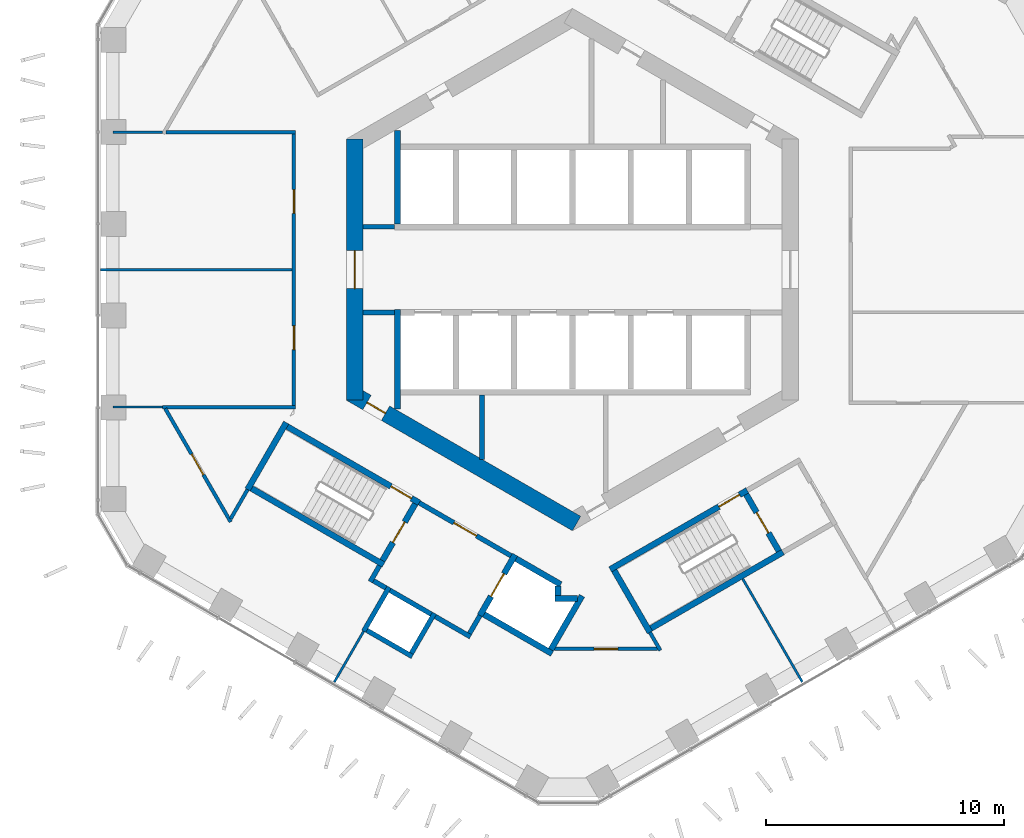
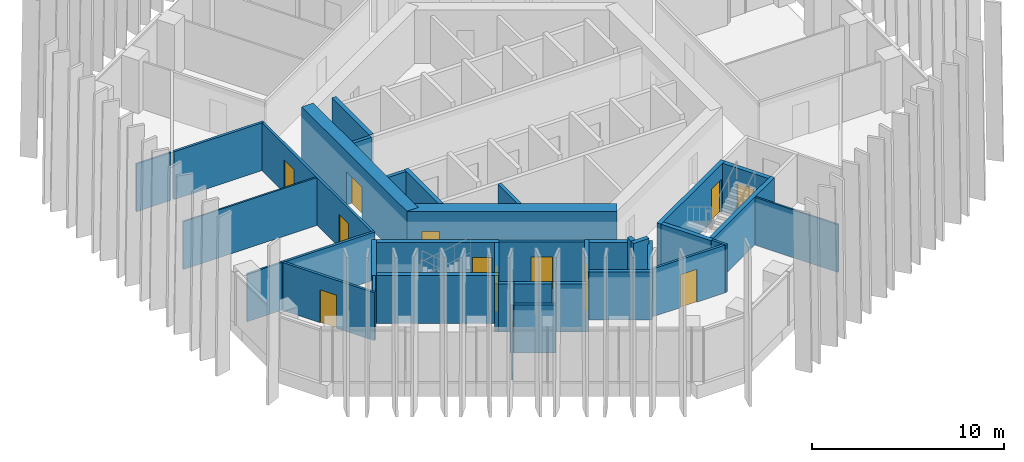
# One storey, part 12 of 19: 42 walls, 12 doors, 12 openings.
"""IFC4 building model written with IfcOpenShell, lengths in metres."""

from ifc_helpers import new_model, si_unit, direction, frame, frame_2d, origin, place, context, subcontext, project, spatial, rectangle, extrude, material, layer, layer_set, type_object, element, fill, save


model = new_model("IFC4")

# Units and contexts
model_context = context("Model", 3, precision=1e-05, world=origin(), true_north=direction((0.0, 1.0)))
body_context = subcontext(model_context, "Body", "Model", "MODEL_VIEW")
ifc_project = project(units=[si_unit("LENGTHUNIT", "METRE"), si_unit("AREAUNIT", "SQUARE_METRE"), si_unit("VOLUMEUNIT", "CUBIC_METRE"), si_unit("PLANEANGLEUNIT", "RADIAN"), si_unit("MASSUNIT", "GRAM", prefix="KILO")], contexts=[model_context])

# Site, building, storey
site_placement = place(None, origin())
site = spatial("IfcSite", under=ifc_project, at=site_placement, CompositionType="ELEMENT")
building_placement = place(site_placement, origin())
building = spatial("IfcBuilding", under=site, at=building_placement, Name="Ayvan Gate Tower", CompositionType="ELEMENT")
storey_placement = place(building_placement, frame((0.0, 0.0, 93.300048828125)))
storey = spatial("IfcBuildingStorey", under=building, at=storey_placement, Name="L24", CompositionType="ELEMENT", Elevation=93.300048828125)

# Wall, opening, door
ifc_material_1 = material(Name="Concrete C70/85", Category="concrete")
ifc_layer_1 = layer(ifc_material_1, 0.699951171875)
ifc_layer_set_1 = layer_set([ifc_layer_1], Name="Concrete C70/85")
wall_type_1 = type_object("IfcWallType", Name="Core wall 700 C70/85", PredefinedType="SHEAR", material=ifc_layer_set_1)
wall_1_placement = place(storey_placement, frame((-9.14990234375, 5.48486328125, 0.0), z_axis=(0.0, 0.0, 1.0), x_axis=(0.0, -1.0, 0.0)))
wall_1 = element("IfcWall", 1, at=wall_1_placement, inside=storey, type_object=wall_type_1, Name="CORE-L24-3", PredefinedType="SHEAR", context=body_context, shape_type="SweptSolid", body=[
    extrude(rectangle(XDim=10.9697265625, YDim=0.699951171875, at=frame_2d((5.48486328125, 0.0))), origin(), (0.0, 0.0, 1.0), 3.39990234375),
])
opening_1_placement = place(wall_1_placement, frame((4.684814453125, 0.0, 0.0)))
opening_1 = element("IfcOpeningElement", 2, at=opening_1_placement, cuts=wall_1, Name="Opening L24-D39", PredefinedType="OPENING", context=body_context, shape_type="SweptSolid", body=[
    extrude(rectangle(XDim=1.60009765625, YDim=2.10009765625, at=frame_2d((0.800048828125, 1.050048828125))), frame((0.0, 0.35986328125, 0.0), z_axis=(0.0, -1.0, 0.0), x_axis=(1.0, 0.0, 0.0)), (0.0, 0.0, 1.0), 0.719970703125),
])
ifc_material_2 = material(Name="Timber door leaf", Category="wood")
door_type_1 = type_object("IfcDoorType", Name="DT-1600", OperationType="NOTDEFINED", PredefinedType="DOOR", material=ifc_material_2)
door_1_placement = place(opening_1_placement, origin())
door_1 = element("IfcDoor", 3, at=door_1_placement, inside=storey, type_object=door_type_1, Name="CD-L24-39", OperationType="SINGLE_SWING_LEFT", OverallHeight=2.10009765625, OverallWidth=1.60009765625, PredefinedType="DOOR", context=body_context, shape_type="SweptSolid", body=[
    extrude(rectangle(XDim=1.60009765625, YDim=2.10009765625, at=frame_2d((0.800048828125, 1.050048828125))), frame((0.0, 0.02490234375, 0.0), z_axis=(0.0, -1.0, 0.0), x_axis=(1.0, 0.0, 0.0)), (0.0, 0.0, 1.0), 0.050048828125),
])
fill(opening_1, door_1)

wall_2_placement = place(storey_placement, frame((-9.324951171875, -5.181640625, 0.0), z_axis=(0.0, 0.0, 1.0), x_axis=(0.866023993627, -0.500002442456, 0.0)))
wall_2 = element("IfcWall", 4, at=wall_2_placement, inside=storey, type_object=wall_type_1, Name="CORE-L24-4", PredefinedType="SHEAR", context=body_context, shape_type="SweptSolid", body=[
    extrude(rectangle(XDim=10.9697265625, YDim=0.699951171875, at=frame_2d((5.48486328125, 0.0))), origin(), (0.0, 0.0, 1.0), 3.39990234375),
])
opening_2_placement = place(wall_2_placement, frame((0.800537109375, 0.0, 0.0)))
opening_2 = element("IfcOpeningElement", 5, at=opening_2_placement, cuts=wall_2, Name="Opening L24-D35", PredefinedType="OPENING", context=body_context, shape_type="SweptSolid", body=[
    extrude(rectangle(XDim=0.89990234375, YDim=2.10009765625, at=frame_2d((0.449951171875, 1.050048828125))), frame((0.0, 0.35986328125, 0.0), z_axis=(0.0, -1.0, 0.0), x_axis=(1.0, 0.0, 0.0)), (0.0, 0.0, 1.0), 0.719970703125),
])
door_type_2 = type_object("IfcDoorType", Name="DT-900", OperationType="NOTDEFINED", PredefinedType="DOOR", material=ifc_material_2)
door_2_placement = place(opening_2_placement, origin())
door_2 = element("IfcDoor", 6, at=door_2_placement, inside=storey, type_object=door_type_2, Name="CD-L24-35", OperationType="SINGLE_SWING_LEFT", OverallHeight=2.10009765625, OverallWidth=0.89990234375, PredefinedType="DOOR", context=body_context, shape_type="SweptSolid", body=[
    extrude(rectangle(XDim=0.89990234375, YDim=2.10009765625, at=frame_2d((0.449951171875, 1.050048828125))), frame((0.0, 0.02490234375, 0.0), z_axis=(0.0, -1.0, 0.0), x_axis=(1.0, 0.0, 0.0)), (0.0, 0.0, 1.0), 0.050048828125),
])
fill(opening_2, door_2)

# Wall
ifc_material_3 = material(Name="Plasterboard on steel stud", Category="steel")
ifc_layer_2 = layer(ifc_material_3, 0.14990234375)
ifc_layer_set_2 = layer_set([ifc_layer_2], Name="Plasterboard on steel stud")
wall_type_2 = type_object("IfcWallType", Name="WT-CORR-150", PredefinedType="PARTITIONING", material=ifc_layer_set_2)
wall_3_placement = place(storey_placement, frame((-17.21875, -5.7724609375, 0.0), z_axis=(0.0, 0.0, 1.0), x_axis=(1.0, 0.0, 0.0)))
element("IfcWall", 7, at=wall_3_placement, inside=storey, type_object=wall_type_2, Name="IW-L24-003", PredefinedType="PARTITIONING", context=body_context, shape_type="SweptSolid", body=[
    extrude(rectangle(XDim=5.59375, YDim=0.14990234375, at=frame_2d((2.796875, 0.0))), origin(), (0.0, 0.0, 1.0), 3.050048828125),
])

# Wall, opening, door
wall_4_placement = place(storey_placement, frame((-14.357666015625, -10.59814453125, 0.0), z_axis=(0.0, 0.0, 1.0), x_axis=(-0.499988999718, 0.866031754707, 0.0)))
wall_4 = element("IfcWall", 8, at=wall_4_placement, inside=storey, type_object=wall_type_2, Name="IW-L24-005", PredefinedType="PARTITIONING", context=body_context, shape_type="SweptSolid", body=[
    extrude(rectangle(XDim=5.4970703125, YDim=0.14990234375, at=frame_2d((2.74853515625, 0.0))), origin(), (0.0, 0.0, 1.0), 3.050048828125),
])
opening_3_placement = place(wall_4_placement, frame((2.2861328125, 0.0, 0.0)))
opening_3 = element("IfcOpeningElement", 9, at=opening_3_placement, cuts=wall_4, Name="Opening L24-D25", PredefinedType="OPENING", context=body_context, shape_type="SweptSolid", body=[
    extrude(rectangle(XDim=1.0, YDim=2.10009765625, at=frame_2d((0.5, 1.050048828125))), frame((0.0, 0.0849609375, 0.0), z_axis=(0.0, -1.0, 0.0), x_axis=(1.0, 0.0, 0.0)), (0.0, 0.0, 1.0), 0.169921875),
])
door_type_3 = type_object("IfcDoorType", Name="DT-1000", OperationType="NOTDEFINED", PredefinedType="DOOR", material=ifc_material_2)
door_3_placement = place(opening_3_placement, origin())
door_3 = element("IfcDoor", 10, at=door_3_placement, inside=storey, type_object=door_type_3, Name="ID-L24-025", OperationType="SINGLE_SWING_LEFT", OverallHeight=2.10009765625, OverallWidth=1.0, PredefinedType="DOOR", context=body_context, shape_type="SweptSolid", body=[
    extrude(rectangle(XDim=1.0, YDim=2.10009765625, at=frame_2d((0.5, 1.050048828125))), frame((0.0, 0.02490234375, 0.0), z_axis=(0.0, -1.0, 0.0), x_axis=(1.0, 0.0, 0.0)), (0.0, 0.0, 1.0), 0.050048828125),
])
fill(opening_3, door_3)

# Walls
wall_5_placement = place(storey_placement, frame((-13.647705078125, -9.23876953125, 0.0), z_axis=(0.0, 0.0, 1.0), x_axis=(-0.500059846627, -0.865990848561, 0.0)))
element("IfcWall", 11, at=wall_5_placement, inside=storey, type_object=wall_type_2, Name="IW-L24-007", PredefinedType="PARTITIONING", context=body_context, shape_type="SweptSolid", body=[
    extrude(rectangle(XDim=1.419677734375, YDim=0.14990234375, at=frame_2d((0.7099609375, 0.0))), origin(), (0.0, 0.0, 1.0), 3.050048828125),
])
wall_6_placement = place(storey_placement, frame((-11.625, 5.7724609375, 0.0), z_axis=(0.0, 0.0, 1.0), x_axis=(-1.0, 0.0, 0.0)))
element("IfcWall", 12, at=wall_6_placement, inside=storey, type_object=wall_type_2, Name="IW-L24-011", PredefinedType="PARTITIONING", context=body_context, shape_type="SweptSolid", body=[
    extrude(rectangle(XDim=5.443603515625, YDim=0.14990234375, at=frame_2d((2.7216796875, 0.0))), origin(), (0.0, 0.0, 1.0), 3.050048828125),
])

# Wall, openings, doors
wall_7_placement = place(storey_placement, frame((-11.699951171875, -5.697509765625, 0.0), z_axis=(0.0, 0.0, 1.0), x_axis=(0.0, 1.0, 0.0)))
wall_7 = element("IfcWall", 13, at=wall_7_placement, inside=storey, type_object=wall_type_2, Name="IW-L24-012", PredefinedType="PARTITIONING", context=body_context, shape_type="SweptSolid", body=[
    extrude(rectangle(XDim=11.39501953125, YDim=0.14990234375, at=frame_2d((5.697509765625, 0.0))), origin(), (0.0, 0.0, 1.0), 3.050048828125),
])
opening_4_placement = place(wall_7_placement, frame((8.061279296875, 0.0, 0.0)))
opening_4 = element("IfcOpeningElement", 14, at=opening_4_placement, cuts=wall_7, Name="Opening L24-D23", PredefinedType="OPENING", context=body_context, shape_type="SweptSolid", body=[
    extrude(rectangle(XDim=1.0, YDim=2.10009765625, at=frame_2d((0.5, 1.050048828125))), frame((0.0, 0.0849609375, 0.0), z_axis=(0.0, -1.0, 0.0), x_axis=(1.0, 0.0, 0.0)), (0.0, 0.0, 1.0), 0.169921875),
])
opening_5_placement = place(wall_7_placement, frame((2.333740234375, 0.0, 0.0)))
opening_5 = element("IfcOpeningElement", 15, at=opening_5_placement, cuts=wall_7, Name="Opening L24-D24", PredefinedType="OPENING", context=body_context, shape_type="SweptSolid", body=[
    extrude(rectangle(XDim=1.0, YDim=2.10009765625, at=frame_2d((0.5, 1.050048828125))), frame((0.0, 0.0849609375, 0.0), z_axis=(0.0, -1.0, 0.0), x_axis=(1.0, 0.0, 0.0)), (0.0, 0.0, 1.0), 0.169921875),
])
door_4_placement = place(opening_4_placement, origin())
door_4 = element("IfcDoor", 16, at=door_4_placement, inside=storey, type_object=door_type_3, Name="ID-L24-023", OperationType="SINGLE_SWING_LEFT", OverallHeight=2.10009765625, OverallWidth=1.0, PredefinedType="DOOR", context=body_context, shape_type="SweptSolid", body=[
    extrude(rectangle(XDim=1.0, YDim=2.10009765625, at=frame_2d((0.5, 1.050048828125))), frame((0.0, 0.02490234375, 0.0), z_axis=(0.0, -1.0, 0.0), x_axis=(1.0, 0.0, 0.0)), (0.0, 0.0, 1.0), 0.050048828125),
])
fill(opening_4, door_4)
door_5_placement = place(opening_5_placement, origin())
door_5 = element("IfcDoor", 17, at=door_5_placement, inside=storey, type_object=door_type_3, Name="ID-L24-024", OperationType="SINGLE_SWING_RIGHT", OverallHeight=2.10009765625, OverallWidth=1.0, PredefinedType="DOOR", context=body_context, shape_type="SweptSolid", body=[
    extrude(rectangle(XDim=1.0, YDim=2.10009765625, at=frame_2d((0.5, 1.050048828125))), frame((0.0, 0.02490234375, 0.0), z_axis=(0.0, -1.0, 0.0), x_axis=(1.0, 0.0, 0.0)), (0.0, 0.0, 1.0), 0.050048828125),
])
fill(opening_5, door_5)

# Wall
wall_8_placement = place(storey_placement, frame((3.255615234375, -15.23876953125, 0.0), z_axis=(0.0, 0.0, 1.0), x_axis=(0.499883169583, -0.866092845351, 0.0)))
element("IfcWall", 18, at=wall_8_placement, inside=storey, type_object=wall_type_2, Name="IW-L24-067", PredefinedType="PARTITIONING", context=body_context, shape_type="SweptSolid", body=[
    extrude(rectangle(XDim=0.876708984375, YDim=0.14990234375, at=frame_2d((0.4384765625, 0.0))), origin(), (0.0, 0.0, 1.0), 3.050048828125),
])

# Wall, opening, door
wall_9_placement = place(storey_placement, frame((3.581298828125, -15.93310546875, 0.0), z_axis=(0.0, 0.0, 1.0), x_axis=(-1.0, 0.0, 0.0)))
wall_9 = element("IfcWall", 19, at=wall_9_placement, inside=storey, type_object=wall_type_2, Name="IW-L24-070", PredefinedType="PARTITIONING", context=body_context, shape_type="SweptSolid", body=[
    extrude(rectangle(XDim=4.34130859375, YDim=0.14990234375, at=frame_2d((2.170654296875, 0.0))), origin(), (0.0, 0.0, 1.0), 3.050048828125),
])
opening_6_placement = place(wall_9_placement, frame((1.6708984375, 0.0, 0.0)))
opening_6 = element("IfcOpeningElement", 20, at=opening_6_placement, cuts=wall_9, Name="Opening L24-D26", PredefinedType="OPENING", context=body_context, shape_type="SweptSolid", body=[
    extrude(rectangle(XDim=1.0, YDim=2.10009765625, at=frame_2d((0.5, 1.050048828125))), frame((0.0, 0.0849609375, 0.0), z_axis=(0.0, -1.0, 0.0), x_axis=(1.0, 0.0, 0.0)), (0.0, 0.0, 1.0), 0.169921875),
])
door_6_placement = place(opening_6_placement, origin())
door_6 = element("IfcDoor", 21, at=door_6_placement, inside=storey, type_object=door_type_3, Name="ID-L24-026", OperationType="SINGLE_SWING_RIGHT", OverallHeight=2.10009765625, OverallWidth=1.0, PredefinedType="DOOR", context=body_context, shape_type="SweptSolid", body=[
    extrude(rectangle(XDim=1.0, YDim=2.10009765625, at=frame_2d((0.5, 1.050048828125))), frame((0.0, 0.02490234375, 0.0), z_axis=(0.0, -1.0, 0.0), x_axis=(1.0, 0.0, 0.0)), (0.0, 0.0, 1.0), 0.050048828125),
])
fill(opening_6, door_6)

# Walls
ifc_layer_3 = layer(ifc_material_3, 0.10009765625)
ifc_layer_set_3 = layer_set([ifc_layer_3], Name="Plasterboard on steel stud")
wall_type_3 = type_object("IfcWallType", Name="WT-PART-100", PredefinedType="PARTITIONING", material=ifc_layer_set_3)
for number, where, z_axis, x_axis, name in (
    (22, (-17.21875, 5.7724609375, 0.0), (0.0, 0.0, 1.0), (-1.0, 0.0, 0.0), "IW-L24-000"),
    (23, (-17.21875, -5.7724609375, 0.0), (0.0, 0.0, 1.0), (-1.0, 0.0, 0.0), "IW-L24-002"),
):
    element("IfcWall", number, at=place(storey_placement, frame(where, z_axis=z_axis, x_axis=x_axis)), inside=storey, type_object=wall_type_3, Name=name, PredefinedType="PARTITIONING", context=body_context, shape_type="SweptSolid", body=[
        extrude(rectangle(XDim=2.0888671875, YDim=0.10009765625, at=frame_2d((1.04443359375, 0.0))), origin(), (0.0, 0.0, 1.0), 3.050048828125),
    ])
wall_10_placement = place(storey_placement, frame((-11.77490234375, 0.0, 0.0), z_axis=(0.0, 0.0, 1.0), x_axis=(-1.0, 0.0, 0.0)))
element("IfcWall", 24, at=wall_10_placement, inside=storey, type_object=wall_type_3, Name="IW-L24-010", PredefinedType="PARTITIONING", context=body_context, shape_type="SweptSolid", body=[
    extrude(rectangle(XDim=8.0537109375, YDim=0.10009765625, at=frame_2d((4.02685546875, 0.0))), origin(), (0.0, 0.0, 1.0), 3.050048828125),
])
wall_11_placement = place(storey_placement, frame((-8.7705078125, -15.19091796875, 0.0), z_axis=(0.0, 0.0, 1.0), x_axis=(-0.500036725936, -0.866004199017, 0.0)))
element("IfcWall", 25, at=wall_11_placement, inside=storey, type_object=wall_type_3, Name="IW-L24-016", PredefinedType="PARTITIONING", context=body_context, shape_type="SweptSolid", body=[
    extrude(rectangle(XDim=2.465576171875, YDim=0.10009765625, at=frame_2d((1.23291015625, 0.0))), origin(), (0.0, 0.0, 1.0), 3.050048828125),
])
wall_12_placement = place(storey_placement, frame((7.152587890625, -12.98876953125, 0.0), z_axis=(0.0, 0.0, 1.0), x_axis=(0.500022324899, -0.866012514114, 0.0)))
element("IfcWall", 26, at=wall_12_placement, inside=storey, type_object=wall_type_3, Name="IW-L24-078", PredefinedType="PARTITIONING", context=body_context, shape_type="SweptSolid", body=[
    extrude(rectangle(XDim=5.003662109375, YDim=0.10009765625, at=frame_2d((2.501953125, 0.0))), origin(), (0.0, 0.0, 1.0), 3.050048828125),
])
ifc_layer_4 = layer(ifc_material_3, 0.199951171875)
ifc_layer_set_4 = layer_set([ifc_layer_4], Name="Plasterboard on steel stud")
wall_type_4 = type_object("IfcWallType", Name="WT-PLUMB-200", PredefinedType="PLUMBINGWALL", material=ifc_layer_set_4)
wall_13_placement = place(storey_placement, frame((-8.7705078125, -15.19091796875, 0.0), z_axis=(0.0, 0.0, 1.0), x_axis=(0.500051491514, 0.865995673104, 0.0)))
element("IfcWall", 27, at=wall_13_placement, inside=storey, type_object=wall_type_4, Name="IW-L24-015", PredefinedType="PLUMBINGWALL", context=body_context, shape_type="SweptSolid", body=[
    extrude(rectangle(XDim=2.140869140625, YDim=0.199951171875, at=frame_2d((1.0703125, 0.0))), origin(), (0.0, 0.0, 1.0), 3.050048828125),
])
wall_14_placement = place(storey_placement, frame((-6.728759765625, -16.25439453125, 0.0), z_axis=(0.0, 0.0, 1.0), x_axis=(-0.86598042715, 0.500077893725, 0.0)))
element("IfcWall", 28, at=wall_14_placement, inside=storey, type_object=wall_type_4, Name="IW-L24-026", PredefinedType="PLUMBINGWALL", context=body_context, shape_type="SweptSolid", body=[
    extrude(rectangle(XDim=2.199951171875, YDim=0.199951171875, at=frame_2d((1.10009765625, 0.0))), origin(), (0.0, 0.0, 1.0), 3.050048828125),
])
wall_15_placement = place(storey_placement, frame((-5.794677734375, -14.436767578125, 0.0), z_axis=(0.0, 0.0, 1.0), x_axis=(-0.500034525977, -0.866005469285, 0.0)))
element("IfcWall", 29, at=wall_15_placement, inside=storey, type_object=wall_type_4, Name="IW-L24-029", PredefinedType="PLUMBINGWALL", context=body_context, shape_type="SweptSolid", body=[
    extrude(rectangle(XDim=1.941162109375, YDim=0.199951171875, at=frame_2d((0.970703125, 0.0))), origin(), (0.0, 0.0, 1.0), 3.050048828125),
])
wall_16_placement = place(storey_placement, frame((-5.931396484375, -14.473388671875, 0.0), z_axis=(0.0, 0.0, 1.0), x_axis=(-0.866041268327, 0.499972520799, 0.0)))
element("IfcWall", 30, at=wall_16_placement, inside=storey, type_object=wall_type_4, Name="IW-L24-030", PredefinedType="PLUMBINGWALL", context=body_context, shape_type="SweptSolid", body=[
    extrude(rectangle(XDim=2.0, YDim=0.199951171875, at=frame_2d((1.0, 0.0))), origin(), (0.0, 0.0, 1.0), 3.050048828125),
])
ifc_layer_5 = layer(ifc_material_3, 0.199951171875)
ifc_layer_set_5 = layer_set([ifc_layer_5], Name="Plasterboard on steel stud")
wall_type_5 = type_object("IfcWallType", Name="WT-RATED-200", PredefinedType="PARTITIONING", material=ifc_layer_set_5)
wall_17_placement = place(storey_placement, frame((-8.800048828125, 1.800048828125, 0.0), z_axis=(0.0, 0.0, 1.0), x_axis=(1.0, 0.0, 0.0)))
element("IfcWall", 31, at=wall_17_placement, inside=storey, type_object=wall_type_5, Name="IW-L24-014", PredefinedType="PARTITIONING", context=body_context, shape_type="SweptSolid", body=[
    extrude(rectangle(XDim=1.3251953125, YDim=0.199951171875, at=frame_2d((0.66259765625, 0.0))), origin(), (0.0, 0.0, 1.0), 3.050048828125),
])
wall_18_placement = place(storey_placement, frame((-8.492919921875, -13.110107421875, 0.0), z_axis=(0.0, 0.0, 1.0), x_axis=(0.500067724834, 0.865986299303, 0.0)))
element("IfcWall", 32, at=wall_18_placement, inside=storey, type_object=wall_type_5, Name="IW-L24-017", PredefinedType="PARTITIONING", context=body_context, shape_type="SweptSolid", body=[
    extrude(rectangle(XDim=0.775390625, YDim=0.199951171875, at=frame_2d((0.3876953125, 0.0))), origin(), (0.0, 0.0, 1.0), 3.050048828125),
])
wall_19_placement = place(storey_placement, frame((-7.83642578125, -13.373291015625, 0.0), z_axis=(0.0, 0.0, 1.0), x_axis=(-0.866232998003, 0.499640263761, 0.0)))
element("IfcWall", 33, at=wall_19_placement, inside=storey, type_object=wall_type_5, Name="IW-L24-019", PredefinedType="PARTITIONING", context=body_context, shape_type="SweptSolid", body=[
    extrude(rectangle(XDim=0.60009765625, YDim=0.199951171875, at=frame_2d((0.300048828125, 0.0))), origin(), (0.0, 0.0, 1.0), 3.050048828125),
])
wall_20_placement = place(storey_placement, frame((-7.474853515625, -1.800048828125, 0.0), z_axis=(0.0, 0.0, 1.0), x_axis=(-1.0, 0.0, 0.0)))
element("IfcWall", 34, at=wall_20_placement, inside=storey, type_object=wall_type_5, Name="IW-L24-024", PredefinedType="PARTITIONING", context=body_context, shape_type="SweptSolid", body=[
    extrude(rectangle(XDim=1.3251953125, YDim=0.199951171875, at=frame_2d((0.66259765625, 0.0))), origin(), (0.0, 0.0, 1.0), 3.050048828125),
])

# Wall, opening, door
wall_21_placement = place(storey_placement, frame((-6.4345703125, -9.794921875, 0.0), z_axis=(0.0, 0.0, 1.0), x_axis=(0.866012907634, -0.500021643343, 0.0)))
wall_21 = element("IfcWall", 35, at=wall_21_placement, inside=storey, type_object=wall_type_5, Name="IW-L24-028", PredefinedType="PARTITIONING", context=body_context, shape_type="SweptSolid", body=[
    extrude(rectangle(XDim=4.449951171875, YDim=0.199951171875, at=frame_2d((2.22509765625, 0.0))), origin(), (0.0, 0.0, 1.0), 3.050048828125),
])
opening_7_placement = place(wall_21_placement, frame((1.675048828125, 0.0, 0.0)))
opening_7 = element("IfcOpeningElement", 36, at=opening_7_placement, cuts=wall_21, Name="Opening L24-D12", PredefinedType="OPENING", context=body_context, shape_type="SweptSolid", body=[
    extrude(rectangle(XDim=1.10009765625, YDim=2.10009765625, at=frame_2d((0.550048828125, 1.050048828125))), frame((0.0, 0.10986328125, 0.0), z_axis=(0.0, -1.0, 0.0), x_axis=(1.0, 0.0, 0.0)), (0.0, 0.0, 1.0), 0.219970703125),
])
door_type_4 = type_object("IfcDoorType", Name="DT-1100", OperationType="NOTDEFINED", PredefinedType="DOOR", material=ifc_material_2)
door_7_placement = place(opening_7_placement, origin())
door_7 = element("IfcDoor", 37, at=door_7_placement, inside=storey, type_object=door_type_4, Name="ID-L24-012", OperationType="SINGLE_SWING_RIGHT", OverallHeight=2.10009765625, OverallWidth=1.10009765625, PredefinedType="DOOR", context=body_context, shape_type="SweptSolid", body=[
    extrude(rectangle(XDim=1.10009765625, YDim=2.10009765625, at=frame_2d((0.550048828125, 1.050048828125))), frame((0.0, 0.02490234375, 0.0), z_axis=(0.0, -1.0, 0.0), x_axis=(1.0, 0.0, 0.0)), (0.0, 0.0, 1.0), 0.050048828125),
])
fill(opening_7, door_7)

# Walls
wall_22_placement = place(storey_placement, frame((-4.285888671875, -15.42333984375, 0.0), z_axis=(0.0, 0.0, 1.0), x_axis=(-0.866025371046, 0.500000056704, 0.0)))
element("IfcWall", 38, at=wall_22_placement, inside=storey, type_object=wall_type_5, Name="IW-L24-035", PredefinedType="PARTITIONING", context=body_context, shape_type="SweptSolid", body=[
    extrude(rectangle(XDim=1.7001953125, YDim=0.199951171875, at=frame_2d((0.85009765625, 0.0))), origin(), (0.0, 0.0, 1.0), 3.050048828125),
])
wall_23_placement = place(storey_placement, frame((-3.885009765625, -14.52880859375, 0.0), z_axis=(0.0, 0.0, 1.0), x_axis=(-0.499859285417, -0.866106630146, 0.0)))
element("IfcWall", 39, at=wall_23_placement, inside=storey, type_object=wall_type_5, Name="IW-L24-037", PredefinedType="PARTITIONING", context=body_context, shape_type="SweptSolid", body=[
    extrude(rectangle(XDim=0.875244140625, YDim=0.199951171875, at=frame_2d((0.4375, 0.0))), origin(), (0.0, 0.0, 1.0), 3.050048828125),
])
wall_24_placement = place(storey_placement, frame((-3.800048828125, -5.27490234375, 0.0), z_axis=(0.0, 0.0, 1.0), x_axis=(0.0, -1.0, 0.0)))
element("IfcWall", 40, at=wall_24_placement, inside=storey, type_object=wall_type_5, Name="IW-L24-038", PredefinedType="PARTITIONING", context=body_context, shape_type="SweptSolid", body=[
    extrude(rectangle(XDim=2.6923828125, YDim=0.199951171875, at=frame_2d((1.34619140625, 0.0))), origin(), (0.0, 0.0, 1.0), 3.050048828125),
])
ifc_material_4 = material(Name="Concrete C50/60", Category="concrete")
ifc_layer_6 = layer(ifc_material_4, 0.25)
ifc_layer_set_6 = layer_set([ifc_layer_6], Name="Concrete C50/60")
wall_type_6 = type_object("IfcWallType", Name="WT-RC-250", PredefinedType="SHEAR", material=ifc_layer_set_6)
wall_25_placement = place(storey_placement, frame((-13.64794921875, -9.23876953125, 0.0), z_axis=(0.0, 0.0, 1.0), x_axis=(0.500017246033, 0.866015446554, 0.0)))
element("IfcWall", 41, at=wall_25_placement, inside=storey, type_object=wall_type_6, Name="IW-L24-006", PredefinedType="SHEAR", context=body_context, shape_type="SweptSolid", body=[
    extrude(rectangle(XDim=3.25, YDim=0.25, at=frame_2d((1.625, 0.0))), origin(), (0.0, 0.0, 1.0), 3.050048828125),
])

# Wall, opening, door
wall_26_placement = place(storey_placement, frame((-11.97705078125, -6.594970703125, 0.0), z_axis=(0.0, 0.0, 1.0), x_axis=(0.866025499775, -0.499999833739, 0.0)))
wall_26 = element("IfcWall", 42, at=wall_26_placement, inside=storey, type_object=wall_type_6, Name="IW-L24-009", PredefinedType="SHEAR", context=body_context, shape_type="SweptSolid", body=[
    extrude(rectangle(XDim=6.39990234375, YDim=0.25, at=frame_2d((3.199951171875, 0.0))), origin(), (0.0, 0.0, 1.0), 3.050048828125),
])
opening_8_placement = place(wall_26_placement, frame((5.02490234375, 0.0, 0.0)))
opening_8 = element("IfcOpeningElement", 43, at=opening_8_placement, cuts=wall_26, Name="Opening L24-D10", PredefinedType="OPENING", context=body_context, shape_type="SweptSolid", body=[
    extrude(rectangle(XDim=1.0, YDim=2.10009765625, at=frame_2d((0.5, 1.050048828125))), frame((0.0, 0.135009765625, 0.0), z_axis=(0.0, -1.0, 0.0), x_axis=(1.0, 0.0, 0.0)), (0.0, 0.0, 1.0), 0.27001953125),
])
door_8_placement = place(opening_8_placement, origin())
door_8 = element("IfcDoor", 44, at=door_8_placement, inside=storey, type_object=door_type_3, Name="ID-L24-010", OperationType="SINGLE_SWING_RIGHT", OverallHeight=2.10009765625, OverallWidth=1.0, PredefinedType="DOOR", context=body_context, shape_type="SweptSolid", body=[
    extrude(rectangle(XDim=1.0, YDim=2.10009765625, at=frame_2d((0.5, 1.050048828125))), frame((0.0, 0.02490234375, 0.0), z_axis=(0.0, -1.0, 0.0), x_axis=(1.0, 0.0, 0.0)), (0.0, 0.0, 1.0), 0.050048828125),
])
fill(opening_8, door_8)

# Walls
wall_27_placement = place(storey_placement, frame((-7.9345703125, -12.39306640625, 0.0), z_axis=(0.0, 0.0, 1.0), x_axis=(-0.866025499775, 0.499999833739, 0.0)))
element("IfcWall", 45, at=wall_27_placement, inside=storey, type_object=wall_type_6, Name="IW-L24-018", PredefinedType="SHEAR", context=body_context, shape_type="SweptSolid", body=[
    extrude(rectangle(XDim=6.39990234375, YDim=0.25, at=frame_2d((3.199951171875, 0.0))), origin(), (0.0, 0.0, 1.0), 3.050048828125),
])
wall_28_placement = place(storey_placement, frame((-7.35009765625, -5.845703125, 0.0), z_axis=(0.0, 0.0, 1.0), x_axis=(0.0, 1.0, 0.0)))
element("IfcWall", 46, at=wall_28_placement, inside=storey, type_object=wall_type_6, Name="IW-L24-021", PredefinedType="SHEAR", context=body_context, shape_type="SweptSolid", body=[
    extrude(rectangle(XDim=4.170654296875, YDim=0.25, at=frame_2d((2.08544921875, 0.0))), origin(), (0.0, 0.0, 1.0), 3.050048828125),
])
wall_29_placement = place(storey_placement, frame((-7.35009765625, 1.925048828125, 0.0), z_axis=(0.0, 0.0, 1.0), x_axis=(0.0, 1.0, 0.0)))
element("IfcWall", 47, at=wall_29_placement, inside=storey, type_object=wall_type_6, Name="IW-L24-022", PredefinedType="SHEAR", context=body_context, shape_type="SweptSolid", body=[
    extrude(rectangle(XDim=3.920654296875, YDim=0.25, at=frame_2d((1.96044921875, 0.0))), origin(), (0.0, 0.0, 1.0), 3.050048828125),
])

# Wall, opening, door
wall_30_placement = place(storey_placement, frame((-6.605224609375, -9.8408203125, 0.0), z_axis=(0.0, 0.0, 1.0), x_axis=(-0.499996545922, -0.866027397988, 0.0)))
wall_30 = element("IfcWall", 48, at=wall_30_placement, inside=storey, type_object=wall_type_6, Name="IW-L24-027", PredefinedType="SHEAR", context=body_context, shape_type="SweptSolid", body=[
    extrude(rectangle(XDim=2.75, YDim=0.25, at=frame_2d((1.375, 0.0))), origin(), (0.0, 0.0, 1.0), 3.050048828125),
])
opening_9_placement = place(wall_30_placement, frame((0.875, 0.0, 0.0)))
opening_9 = element("IfcOpeningElement", 49, at=opening_9_placement, cuts=wall_30, Name="Opening L24-D11", PredefinedType="OPENING", context=body_context, shape_type="SweptSolid", body=[
    extrude(rectangle(XDim=1.0, YDim=2.10009765625, at=frame_2d((0.5, 1.050048828125))), frame((0.0, 0.135009765625, 0.0), z_axis=(0.0, -1.0, 0.0), x_axis=(1.0, 0.0, 0.0)), (0.0, 0.0, 1.0), 0.27001953125),
])
door_9_placement = place(opening_9_placement, origin())
door_9 = element("IfcDoor", 50, at=door_9_placement, inside=storey, type_object=door_type_3, Name="ID-L24-011", OperationType="SINGLE_SWING_LEFT", OverallHeight=2.10009765625, OverallWidth=1.0, PredefinedType="DOOR", context=body_context, shape_type="SweptSolid", body=[
    extrude(rectangle(XDim=1.0, YDim=2.10009765625, at=frame_2d((0.5, 1.050048828125))), frame((0.0, 0.02490234375, 0.0), z_axis=(0.0, -1.0, 0.0), x_axis=(1.0, 0.0, 0.0)), (0.0, 0.0, 1.0), 0.050048828125),
])
fill(opening_9, door_9)

wall_31_placement = place(storey_placement, frame((-2.409912109375, -11.97412109375, 0.0), z_axis=(0.0, 0.0, 1.0), x_axis=(-0.500001826776, -0.866024349092, 0.0)))
wall_31 = element("IfcWall", 51, at=wall_31_placement, inside=storey, type_object=wall_type_6, Name="IW-L24-043", PredefinedType="SHEAR", context=body_context, shape_type="SweptSolid", body=[
    extrude(rectangle(XDim=2.9501953125, YDim=0.25, at=frame_2d((1.47509765625, 0.0))), origin(), (0.0, 0.0, 1.0), 3.050048828125),
])
opening_10_placement = place(wall_31_placement, frame((0.925048828125, 0.0, 0.0)))
opening_10 = element("IfcOpeningElement", 52, at=opening_10_placement, cuts=wall_31, Name="Opening L24-LD-FF2", PredefinedType="OPENING", context=body_context, shape_type="SweptSolid", body=[
    extrude(rectangle(XDim=1.10009765625, YDim=2.10009765625, at=frame_2d((0.550048828125, 1.050048828125))), frame((0.0, 0.135009765625, 0.0), z_axis=(0.0, -1.0, 0.0), x_axis=(1.0, 0.0, 0.0)), (0.0, 0.0, 1.0), 0.27001953125),
])
ifc_material_5 = material(Name="Stainless steel landing door", Category="steel")
door_type_5 = type_object("IfcDoorType", Name="DT-LANDING-1100", OperationType="SLIDING_TO_LEFT", PredefinedType="DOOR", material=ifc_material_5)
door_10_placement = place(opening_10_placement, origin())
door_10 = element("IfcDoor", 53, at=door_10_placement, inside=storey, type_object=door_type_5, Name="ID-L24-013", OperationType="SLIDING_TO_LEFT", OverallHeight=2.10009765625, OverallWidth=1.10009765625, PredefinedType="DOOR", context=body_context, shape_type="SweptSolid", body=[
    extrude(rectangle(XDim=1.10009765625, YDim=2.10009765625, at=frame_2d((0.550048828125, 1.050048828125))), frame((0.0, 0.02490234375, 0.0), z_axis=(0.0, -1.0, 0.0), x_axis=(1.0, 0.0, 0.0)), (0.0, 0.0, 1.0), 0.050048828125),
])
fill(opening_10, door_10)

# Walls
wall_32_placement = place(storey_placement, frame((-2.3642578125, -12.14501953125, 0.0), z_axis=(0.0, 0.0, 1.0), x_axis=(0.86603892542, -0.499976579108, 0.0)))
element("IfcWall", 54, at=wall_32_placement, inside=storey, type_object=wall_type_6, Name="IW-L24-044", PredefinedType="SHEAR", context=body_context, shape_type="SweptSolid", body=[
    extrude(rectangle(XDim=2.162109375, YDim=0.25, at=frame_2d((1.0810546875, 0.0))), origin(), (0.0, 0.0, 1.0), 3.050048828125),
])
wall_33_placement = place(storey_placement, frame((-0.8564453125, -16.13330078125, 0.0), z_axis=(0.0, 0.0, 1.0), x_axis=(-0.866021716278, 0.500006386895, 0.0)))
element("IfcWall", 55, at=wall_33_placement, inside=storey, type_object=wall_type_6, Name="IW-L24-048", PredefinedType="SHEAR", context=body_context, shape_type="SweptSolid", body=[
    extrude(rectangle(XDim=3.2998046875, YDim=0.25, at=frame_2d((1.64990234375, 0.0))), origin(), (0.0, 0.0, 1.0), 3.050048828125),
])
wall_34_placement = place(storey_placement, frame((-0.902099609375, -15.96240234375, 0.0), z_axis=(0.0, 0.0, 1.0), x_axis=(0.499981517636, 0.866036074319, 0.0)))
element("IfcWall", 56, at=wall_34_placement, inside=storey, type_object=wall_type_6, Name="IW-L24-049", PredefinedType="SHEAR", context=body_context, shape_type="SweptSolid", body=[
    extrude(rectangle(XDim=2.6103515625, YDim=0.25, at=frame_2d((1.30517578125, 0.0))), origin(), (0.0, 0.0, 1.0), 3.050048828125),
])
wall_35_placement = place(storey_placement, frame((-0.72509765625, -13.81005859375, 0.0), z_axis=(0.0, 0.0, 1.0), x_axis=(1.0, 0.0, 0.0)))
element("IfcWall", 57, at=wall_35_placement, inside=storey, type_object=wall_type_6, Name="IW-L24-050", PredefinedType="SHEAR", context=body_context, shape_type="SweptSolid", body=[
    extrude(rectangle(XDim=0.940673828125, YDim=0.25, at=frame_2d((0.47021484375, 0.0))), origin(), (0.0, 0.0, 1.0), 3.39990234375),
])
wall_36_placement = place(storey_placement, frame((-0.60009765625, -13.28857421875, 0.0), z_axis=(0.0, 0.0, 1.0), x_axis=(0.0, -1.0, 0.0)))
element("IfcWall", 58, at=wall_36_placement, inside=storey, type_object=wall_type_6, Name="IW-L24-051", PredefinedType="SHEAR", context=body_context, shape_type="SweptSolid", body=[
    extrude(rectangle(XDim=0.396484375, YDim=0.25, at=frame_2d((0.1982421875, 0.0))), origin(), (0.0, 0.0, 1.0), 3.39990234375),
])

# Wall, opening, door
wall_37_placement = place(storey_placement, frame((1.584716796875, -12.594970703125, 0.0), z_axis=(0.0, 0.0, 1.0), x_axis=(0.866036417653, 0.499980922934, 0.0)))
wall_37 = element("IfcWall", 59, at=wall_37_placement, inside=storey, type_object=wall_type_6, Name="IW-L24-062", PredefinedType="SHEAR", context=body_context, shape_type="SweptSolid", body=[
    extrude(rectangle(XDim=6.650146484375, YDim=0.25, at=frame_2d((3.3251953125, 0.0))), origin(), (0.0, 0.0, 1.0), 3.050048828125),
])
opening_11_placement = place(wall_37_placement, frame((5.27490234375, 0.0, 0.0)))
opening_11 = element("IfcOpeningElement", 60, at=opening_11_placement, cuts=wall_37, Name="Opening L24-D14", PredefinedType="OPENING", context=body_context, shape_type="SweptSolid", body=[
    extrude(rectangle(XDim=1.0, YDim=2.10009765625, at=frame_2d((0.5, 1.050048828125))), frame((0.0, 0.135009765625, 0.0), z_axis=(0.0, -1.0, 0.0), x_axis=(1.0, 0.0, 0.0)), (0.0, 0.0, 1.0), 0.27001953125),
])
door_11_placement = place(opening_11_placement, origin())
door_11 = element("IfcDoor", 61, at=door_11_placement, inside=storey, type_object=door_type_3, Name="ID-L24-014", OperationType="SINGLE_SWING_RIGHT", OverallHeight=2.10009765625, OverallWidth=1.0, PredefinedType="DOOR", context=body_context, shape_type="SweptSolid", body=[
    extrude(rectangle(XDim=1.0, YDim=2.10009765625, at=frame_2d((0.5, 1.050048828125))), frame((0.0, 0.02490234375, 0.0), z_axis=(0.0, -1.0, 0.0), x_axis=(1.0, 0.0, 0.0)), (0.0, 0.0, 1.0), 0.050048828125),
])
fill(opening_11, door_11)

# Walls
wall_38_placement = place(storey_placement, frame((3.255615234375, -15.23876953125, 0.0), z_axis=(0.0, 0.0, 1.0), x_axis=(-0.50002537861, 0.866010750942, 0.0)))
element("IfcWall", 62, at=wall_38_placement, inside=storey, type_object=wall_type_6, Name="IW-L24-068", PredefinedType="SHEAR", context=body_context, shape_type="SweptSolid", body=[
    extrude(rectangle(XDim=2.999755859375, YDim=0.25, at=frame_2d((1.5, 0.0))), origin(), (0.0, 0.0, 1.0), 3.050048828125),
])
wall_39_placement = place(storey_placement, frame((3.30126953125, -15.068115234375, 0.0), z_axis=(0.0, 0.0, 1.0), x_axis=(0.866035036182, 0.499983315828, 0.0)))
element("IfcWall", 63, at=wall_39_placement, inside=storey, type_object=wall_type_6, Name="IW-L24-079", PredefinedType="SHEAR", context=body_context, shape_type="SweptSolid", body=[
    extrude(rectangle(XDim=6.400146484375, YDim=0.25, at=frame_2d((3.2001953125, 0.0))), origin(), (0.0, 0.0, 1.0), 3.050048828125),
])

# Wall, opening, door
wall_40_placement = place(storey_placement, frame((7.298095703125, -9.44091796875, 0.0), z_axis=(0.0, 0.0, 1.0), x_axis=(0.500034990121, -0.866005201286, 0.0)))
wall_40 = element("IfcWall", 64, at=wall_40_placement, inside=storey, type_object=wall_type_6, Name="IW-L24-080", PredefinedType="SHEAR", context=body_context, shape_type="SweptSolid", body=[
    extrude(rectangle(XDim=2.749755859375, YDim=0.25, at=frame_2d((1.375, 0.0))), origin(), (0.0, 0.0, 1.0), 3.050048828125),
])
opening_12_placement = place(wall_40_placement, frame((0.875, 0.0, 0.0)))
opening_12 = element("IfcOpeningElement", 65, at=opening_12_placement, cuts=wall_40, Name="Opening L24-D16", PredefinedType="OPENING", context=body_context, shape_type="SweptSolid", body=[
    extrude(rectangle(XDim=1.0, YDim=2.10009765625, at=frame_2d((0.5, 1.050048828125))), frame((0.0, 0.135009765625, 0.0), z_axis=(0.0, -1.0, 0.0), x_axis=(1.0, 0.0, 0.0)), (0.0, 0.0, 1.0), 0.27001953125),
])
door_12_placement = place(opening_12_placement, origin())
door_12 = element("IfcDoor", 66, at=door_12_placement, inside=storey, type_object=door_type_3, Name="ID-L24-016", OperationType="SINGLE_SWING_RIGHT", OverallHeight=2.10009765625, OverallWidth=1.0, PredefinedType="DOOR", context=body_context, shape_type="SweptSolid", body=[
    extrude(rectangle(XDim=1.0, YDim=2.10009765625, at=frame_2d((0.5, 1.050048828125))), frame((0.0, 0.02490234375, 0.0), z_axis=(0.0, -1.0, 0.0), x_axis=(1.0, 0.0, 0.0)), (0.0, 0.0, 1.0), 0.050048828125),
])
fill(opening_12, door_12)

save(model, "model.ifc")
